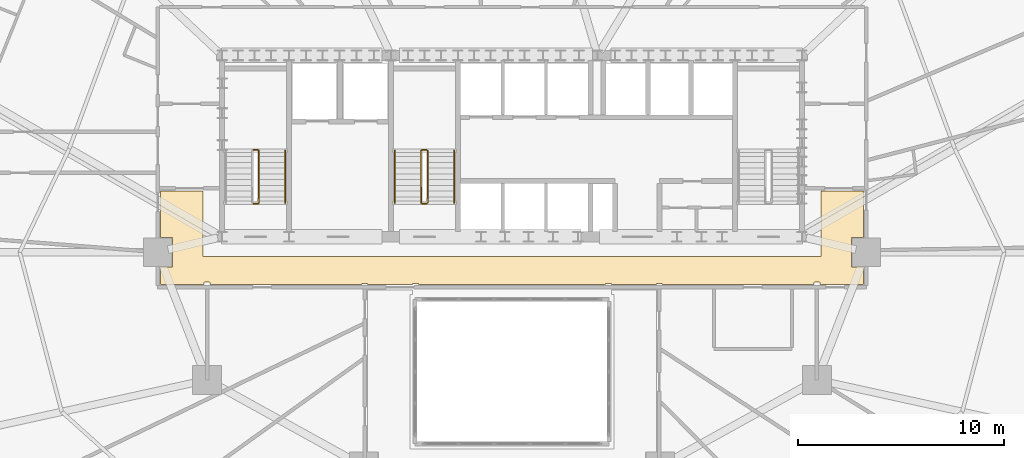
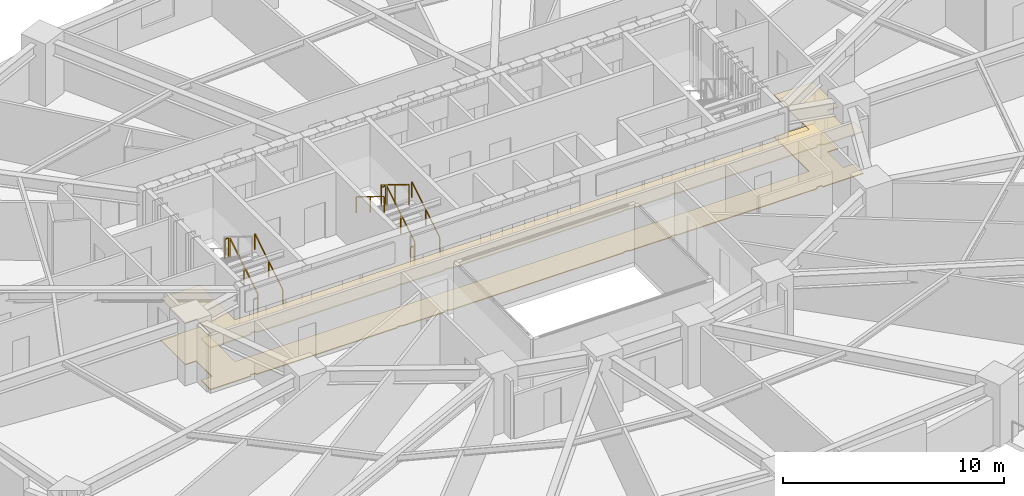
# One storey, part 15 of 17: 10 railings, 2 coverings.
"""IFC4 building model written with IfcOpenShell, lengths in metres."""

from ifc_helpers import new_model, si_unit, direction, frame, origin, origin_2d, place, context, subcontext, project, spatial, polyline, rectangle, outline, extrude, material, layer, layer_set, type_object, element, save


model = new_model("IFC4")

# Units and contexts
model_context = context("Model", 3, precision=1e-05, world=origin(), true_north=direction((0.0, 1.0)))
body_context = subcontext(model_context, "Body", "Model", "MODEL_VIEW")
ifc_project = project(units=[si_unit("LENGTHUNIT", "METRE"), si_unit("AREAUNIT", "SQUARE_METRE"), si_unit("VOLUMEUNIT", "CUBIC_METRE"), si_unit("PLANEANGLEUNIT", "RADIAN"), si_unit("MASSUNIT", "GRAM", prefix="KILO")], contexts=[model_context])

# Site, building, storey
site_placement = place(None, origin())
site = spatial("IfcSite", under=ifc_project, at=site_placement, CompositionType="ELEMENT")
building_placement = place(site_placement, origin())
building = spatial("IfcBuilding", under=site, at=building_placement, Name="Haldorwick Loom Tower", CompositionType="ELEMENT")
storey_placement = place(building_placement, frame((0.0, 0.0, 37.800048828125)))
storey = spatial("IfcBuildingStorey", under=building, at=storey_placement, Name="L09", CompositionType="ELEMENT", Elevation=37.800048828125)

# Coverings
ifc_material_1 = material(Name="Mineral Fibre Acoustic Ceiling Tile")
ifc_layer_1 = layer(ifc_material_1, 0.054931640625, Name="Mineral Fibre Acoustic Ceiling Tile")
ifc_layer_set_1 = layer_set([ifc_layer_1], Name="Mineral Fibre Acoustic Ceiling Tile")
covering_type_1 = type_object("IfcCoveringType", Name="ARC-COV-CEIL2", PredefinedType="CEILING", material=ifc_layer_set_1)
covering_1_placement = place(storey_placement, frame((0.0, 0.0, 2.302001953125)))
element("IfcCovering", 1, at=covering_1_placement, inside=storey, type_object=covering_type_1, Name="L09 Acoustic Suspended Ceiling 2", PredefinedType="CEILING", context=body_context, shape_type="SweptSolid", body=[
    extrude(outline(polyline([(51.0, 28.9599609375), (51.0, 25.800048828125), (21.0, 25.800048828125), (21.0, 28.9599609375), (18.93994140625, 28.9599609375), (18.93994140625, 26.7080078125), (19.508056640625, 26.7080078125), (19.508056640625, 25.2919921875), (18.93994140625, 25.2919921875), (18.93994140625, 24.43994140625), (21.06005859375, 24.43994140625), (21.06005859375, 24.52001953125), (21.06005859375, 24.52197265625), (21.060302734375, 24.52392578125), (21.060791015625, 24.52587890625), (21.0615234375, 24.527587890625), (21.0625, 24.529296875), (21.0634765625, 24.531005859375), (21.064453125, 24.53271484375), (21.06591796875, 24.5341796875), (21.0673828125, 24.535400390625), (21.06884765625, 24.53662109375), (21.070556640625, 24.53759765625), (21.072265625, 24.53857421875), (21.07421875, 24.5390625), (21.076171875, 24.53955078125), (21.077880859375, 24.539794921875), (21.080078125, 24.5400390625), (21.320068359375, 24.5400390625), (21.322021484375, 24.539794921875), (21.323974609375, 24.53955078125), (21.32568359375, 24.5390625), (21.32763671875, 24.53857421875), (21.329345703125, 24.53759765625), (21.3310546875, 24.53662109375), (21.332763671875, 24.535400390625), (21.333984375, 24.5341796875), (21.33544921875, 24.53271484375), (21.336669921875, 24.531005859375), (21.337646484375, 24.529296875), (21.33837890625, 24.527587890625), (21.339111328125, 24.52587890625), (21.339599609375, 24.52392578125), (21.33984375, 24.52197265625), (21.340087890625, 24.52001953125), (21.340087890625, 24.43994140625), (28.7099609375, 24.43994140625), (28.7099609375, 24.469970703125), (28.710205078125, 24.471923828125), (28.71044921875, 24.473876953125), (28.7109375, 24.475830078125), (28.71142578125, 24.477783203125), (28.71240234375, 24.4794921875), (28.71337890625, 24.481201171875), (28.714599609375, 24.482666015625), (28.7158203125, 24.484130859375), (28.71728515625, 24.485595703125), (28.718994140625, 24.486572265625), (28.720703125, 24.487548828125), (28.722412109375, 24.488525390625), (28.72412109375, 24.489013671875), (28.72607421875, 24.489501953125), (28.72802734375, 24.489990234375), (28.72998046875, 24.489990234375), (28.969970703125, 24.489990234375), (28.971923828125, 24.489990234375), (28.973876953125, 24.489501953125), (28.975830078125, 24.489013671875), (28.977783203125, 24.488525390625), (28.9794921875, 24.487548828125), (28.981201171875, 24.486572265625), (28.982666015625, 24.485595703125), (28.984130859375, 24.484130859375), (28.985595703125, 24.482666015625), (28.986572265625, 24.481201171875), (28.987548828125, 24.4794921875), (28.988525390625, 24.477783203125), (28.989013671875, 24.475830078125), (28.989501953125, 24.473876953125), (28.989990234375, 24.471923828125), (28.989990234375, 24.469970703125), (28.989990234375, 24.43994140625), (31.179931640625, 24.43994140625), (31.179931640625, 24.469970703125), (31.18017578125, 24.471923828125), (31.180419921875, 24.473876953125), (31.180908203125, 24.475830078125), (31.181396484375, 24.477783203125), (31.182373046875, 24.4794921875), (31.183349609375, 24.481201171875), (31.1845703125, 24.482666015625), (31.185791015625, 24.484130859375), (31.187255859375, 24.485595703125), (31.18896484375, 24.486572265625), (31.190673828125, 24.487548828125), (31.1923828125, 24.488525390625), (31.194091796875, 24.489013671875), (31.196044921875, 24.489501953125), (31.197998046875, 24.489990234375), (31.199951171875, 24.489990234375), (31.43994140625, 24.489990234375), (31.44189453125, 24.489990234375), (31.44384765625, 24.489501953125), (31.44580078125, 24.489013671875), (31.44775390625, 24.488525390625), (31.449462890625, 24.487548828125), (31.451171875, 24.486572265625), (31.45263671875, 24.485595703125), (31.4541015625, 24.484130859375), (31.45556640625, 24.482666015625), (31.45654296875, 24.481201171875), (31.45751953125, 24.4794921875), (31.45849609375, 24.477783203125), (31.458984375, 24.475830078125), (31.459716796875, 24.473876953125), (31.4599609375, 24.471923828125), (31.4599609375, 24.469970703125), (31.4599609375, 24.43994140625), (40.5400390625, 24.43994140625), (40.5400390625, 24.469970703125), (40.5400390625, 24.471923828125), (40.540283203125, 24.473876953125), (40.541015625, 24.475830078125), (40.54150390625, 24.477783203125), (40.54248046875, 24.4794921875), (40.54345703125, 24.481201171875), (40.54443359375, 24.482666015625), (40.5458984375, 24.484130859375), (40.54736328125, 24.485595703125), (40.548828125, 24.486572265625), (40.550537109375, 24.487548828125), (40.55224609375, 24.488525390625), (40.55419921875, 24.489013671875), (40.55615234375, 24.489501953125), (40.55810546875, 24.489990234375), (40.56005859375, 24.489990234375), (40.800048828125, 24.489990234375), (40.802001953125, 24.489990234375), (40.803955078125, 24.489501953125), (40.805908203125, 24.489013671875), (40.8076171875, 24.488525390625), (40.809326171875, 24.487548828125), (40.81103515625, 24.486572265625), (40.812744140625, 24.485595703125), (40.814208984375, 24.484130859375), (40.8154296875, 24.482666015625), (40.816650390625, 24.481201171875), (40.817626953125, 24.4794921875), (40.818603515625, 24.477783203125), (40.819091796875, 24.475830078125), (40.819580078125, 24.473876953125), (40.81982421875, 24.471923828125), (40.820068359375, 24.469970703125), (40.820068359375, 24.43994140625), (43.010009765625, 24.43994140625), (43.010009765625, 24.469970703125), (43.010009765625, 24.471923828125), (43.010498046875, 24.473876953125), (43.010986328125, 24.475830078125), (43.011474609375, 24.477783203125), (43.012451171875, 24.4794921875), (43.013427734375, 24.481201171875), (43.014404296875, 24.482666015625), (43.015869140625, 24.484130859375), (43.017333984375, 24.485595703125), (43.018798828125, 24.486572265625), (43.0205078125, 24.487548828125), (43.022216796875, 24.488525390625), (43.024169921875, 24.489013671875), (43.026123046875, 24.489501953125), (43.028076171875, 24.489990234375), (43.030029296875, 24.489990234375), (43.27001953125, 24.489990234375), (43.27197265625, 24.489990234375), (43.27392578125, 24.489501953125), (43.27587890625, 24.489013671875), (43.277587890625, 24.488525390625), (43.279296875, 24.487548828125), (43.281005859375, 24.486572265625), (43.28271484375, 24.485595703125), (43.2841796875, 24.484130859375), (43.285400390625, 24.482666015625), (43.28662109375, 24.481201171875), (43.28759765625, 24.4794921875), (43.28857421875, 24.477783203125), (43.2890625, 24.475830078125), (43.28955078125, 24.473876953125), (43.289794921875, 24.471923828125), (43.2900390625, 24.469970703125), (43.2900390625, 24.43994140625), (50.659912109375, 24.43994140625), (50.659912109375, 24.52001953125), (50.66015625, 24.52197265625), (50.660400390625, 24.52392578125), (50.660888671875, 24.52587890625), (50.66162109375, 24.527587890625), (50.662353515625, 24.529296875), (50.663330078125, 24.531005859375), (50.66455078125, 24.53271484375), (50.666015625, 24.5341796875), (50.667236328125, 24.535400390625), (50.6689453125, 24.53662109375), (50.670654296875, 24.53759765625), (50.67236328125, 24.53857421875), (50.67431640625, 24.5390625), (50.676025390625, 24.53955078125), (50.677978515625, 24.539794921875), (50.679931640625, 24.5400390625), (50.919921875, 24.5400390625), (50.922119140625, 24.539794921875), (50.923828125, 24.53955078125), (50.92578125, 24.5390625), (50.927734375, 24.53857421875), (50.929443359375, 24.53759765625), (50.93115234375, 24.53662109375), (50.9326171875, 24.535400390625), (50.93408203125, 24.5341796875), (50.935546875, 24.53271484375), (50.9365234375, 24.531005859375), (50.9375, 24.529296875), (50.9384765625, 24.527587890625), (50.939208984375, 24.52587890625), (50.939697265625, 24.52392578125), (50.93994140625, 24.52197265625), (50.93994140625, 24.52001953125), (50.93994140625, 24.43994140625), (53.06005859375, 24.43994140625), (53.06005859375, 25.2919921875), (52.491943359375, 25.2919921875), (52.491943359375, 26.7080078125), (53.06005859375, 26.7080078125), (53.06005859375, 28.9599609375), (51.0, 28.9599609375)])), origin(), (0.0, 0.0, 1.0), 0.054931640625),
])
ifc_material_2 = material(Name="Polished Aggregate Terrazzo Finish")
ifc_layer_2 = layer(ifc_material_2, 0.044921875, Name="Polished Aggregate Terrazzo Finish")
ifc_layer_set_2 = layer_set([ifc_layer_2], Name="Polished Aggregate Terrazzo Finish")
covering_type_2 = type_object("IfcCoveringType", Name="ARC-COV-FLOOR2", PredefinedType="FLOORING", material=ifc_layer_set_2)
covering_2_placement = place(storey_placement, origin())
element("IfcCovering", 2, at=covering_2_placement, inside=storey, type_object=covering_type_2, Name="L09 Floor Finish 2", PredefinedType="FLOORING", context=body_context, shape_type="SweptSolid", body=[
    extrude(outline(polyline([(51.0, 28.9599609375), (51.0, 25.800048828125), (21.0, 25.800048828125), (21.0, 28.9599609375), (18.93994140625, 28.9599609375), (18.93994140625, 26.7080078125), (19.508056640625, 26.7080078125), (19.508056640625, 25.2919921875), (18.93994140625, 25.2919921875), (18.93994140625, 24.43994140625), (21.06005859375, 24.43994140625), (21.06005859375, 24.52001953125), (21.06005859375, 24.52197265625), (21.060302734375, 24.52392578125), (21.060791015625, 24.52587890625), (21.0615234375, 24.527587890625), (21.0625, 24.529296875), (21.0634765625, 24.531005859375), (21.064453125, 24.53271484375), (21.06591796875, 24.5341796875), (21.0673828125, 24.535400390625), (21.06884765625, 24.53662109375), (21.070556640625, 24.53759765625), (21.072265625, 24.53857421875), (21.07421875, 24.5390625), (21.076171875, 24.53955078125), (21.077880859375, 24.539794921875), (21.080078125, 24.5400390625), (21.320068359375, 24.5400390625), (21.322021484375, 24.539794921875), (21.323974609375, 24.53955078125), (21.32568359375, 24.5390625), (21.32763671875, 24.53857421875), (21.329345703125, 24.53759765625), (21.3310546875, 24.53662109375), (21.332763671875, 24.535400390625), (21.333984375, 24.5341796875), (21.33544921875, 24.53271484375), (21.336669921875, 24.531005859375), (21.337646484375, 24.529296875), (21.33837890625, 24.527587890625), (21.339111328125, 24.52587890625), (21.339599609375, 24.52392578125), (21.33984375, 24.52197265625), (21.340087890625, 24.52001953125), (21.340087890625, 24.43994140625), (28.7099609375, 24.43994140625), (28.7099609375, 24.469970703125), (28.710205078125, 24.471923828125), (28.71044921875, 24.473876953125), (28.7109375, 24.475830078125), (28.71142578125, 24.477783203125), (28.71240234375, 24.4794921875), (28.71337890625, 24.481201171875), (28.714599609375, 24.482666015625), (28.7158203125, 24.484130859375), (28.71728515625, 24.485595703125), (28.718994140625, 24.486572265625), (28.720703125, 24.487548828125), (28.722412109375, 24.488525390625), (28.72412109375, 24.489013671875), (28.72607421875, 24.489501953125), (28.72802734375, 24.489990234375), (28.72998046875, 24.489990234375), (28.969970703125, 24.489990234375), (28.971923828125, 24.489990234375), (28.973876953125, 24.489501953125), (28.975830078125, 24.489013671875), (28.977783203125, 24.488525390625), (28.9794921875, 24.487548828125), (28.981201171875, 24.486572265625), (28.982666015625, 24.485595703125), (28.984130859375, 24.484130859375), (28.985595703125, 24.482666015625), (28.986572265625, 24.481201171875), (28.987548828125, 24.4794921875), (28.988525390625, 24.477783203125), (28.989013671875, 24.475830078125), (28.989501953125, 24.473876953125), (28.989990234375, 24.471923828125), (28.989990234375, 24.469970703125), (28.989990234375, 24.43994140625), (31.179931640625, 24.43994140625), (31.179931640625, 24.469970703125), (31.18017578125, 24.471923828125), (31.180419921875, 24.473876953125), (31.180908203125, 24.475830078125), (31.181396484375, 24.477783203125), (31.182373046875, 24.4794921875), (31.183349609375, 24.481201171875), (31.1845703125, 24.482666015625), (31.185791015625, 24.484130859375), (31.187255859375, 24.485595703125), (31.18896484375, 24.486572265625), (31.190673828125, 24.487548828125), (31.1923828125, 24.488525390625), (31.194091796875, 24.489013671875), (31.196044921875, 24.489501953125), (31.197998046875, 24.489990234375), (31.199951171875, 24.489990234375), (31.43994140625, 24.489990234375), (31.44189453125, 24.489990234375), (31.44384765625, 24.489501953125), (31.44580078125, 24.489013671875), (31.44775390625, 24.488525390625), (31.449462890625, 24.487548828125), (31.451171875, 24.486572265625), (31.45263671875, 24.485595703125), (31.4541015625, 24.484130859375), (31.45556640625, 24.482666015625), (31.45654296875, 24.481201171875), (31.45751953125, 24.4794921875), (31.45849609375, 24.477783203125), (31.458984375, 24.475830078125), (31.459716796875, 24.473876953125), (31.4599609375, 24.471923828125), (31.4599609375, 24.469970703125), (31.4599609375, 24.43994140625), (40.5400390625, 24.43994140625), (40.5400390625, 24.469970703125), (40.5400390625, 24.471923828125), (40.540283203125, 24.473876953125), (40.541015625, 24.475830078125), (40.54150390625, 24.477783203125), (40.54248046875, 24.4794921875), (40.54345703125, 24.481201171875), (40.54443359375, 24.482666015625), (40.5458984375, 24.484130859375), (40.54736328125, 24.485595703125), (40.548828125, 24.486572265625), (40.550537109375, 24.487548828125), (40.55224609375, 24.488525390625), (40.55419921875, 24.489013671875), (40.55615234375, 24.489501953125), (40.55810546875, 24.489990234375), (40.56005859375, 24.489990234375), (40.800048828125, 24.489990234375), (40.802001953125, 24.489990234375), (40.803955078125, 24.489501953125), (40.805908203125, 24.489013671875), (40.8076171875, 24.488525390625), (40.809326171875, 24.487548828125), (40.81103515625, 24.486572265625), (40.812744140625, 24.485595703125), (40.814208984375, 24.484130859375), (40.8154296875, 24.482666015625), (40.816650390625, 24.481201171875), (40.817626953125, 24.4794921875), (40.818603515625, 24.477783203125), (40.819091796875, 24.475830078125), (40.819580078125, 24.473876953125), (40.81982421875, 24.471923828125), (40.820068359375, 24.469970703125), (40.820068359375, 24.43994140625), (43.010009765625, 24.43994140625), (43.010009765625, 24.469970703125), (43.010009765625, 24.471923828125), (43.010498046875, 24.473876953125), (43.010986328125, 24.475830078125), (43.011474609375, 24.477783203125), (43.012451171875, 24.4794921875), (43.013427734375, 24.481201171875), (43.014404296875, 24.482666015625), (43.015869140625, 24.484130859375), (43.017333984375, 24.485595703125), (43.018798828125, 24.486572265625), (43.0205078125, 24.487548828125), (43.022216796875, 24.488525390625), (43.024169921875, 24.489013671875), (43.026123046875, 24.489501953125), (43.028076171875, 24.489990234375), (43.030029296875, 24.489990234375), (43.27001953125, 24.489990234375), (43.27197265625, 24.489990234375), (43.27392578125, 24.489501953125), (43.27587890625, 24.489013671875), (43.277587890625, 24.488525390625), (43.279296875, 24.487548828125), (43.281005859375, 24.486572265625), (43.28271484375, 24.485595703125), (43.2841796875, 24.484130859375), (43.285400390625, 24.482666015625), (43.28662109375, 24.481201171875), (43.28759765625, 24.4794921875), (43.28857421875, 24.477783203125), (43.2890625, 24.475830078125), (43.28955078125, 24.473876953125), (43.289794921875, 24.471923828125), (43.2900390625, 24.469970703125), (43.2900390625, 24.43994140625), (50.659912109375, 24.43994140625), (50.659912109375, 24.52001953125), (50.66015625, 24.52197265625), (50.660400390625, 24.52392578125), (50.660888671875, 24.52587890625), (50.66162109375, 24.527587890625), (50.662353515625, 24.529296875), (50.663330078125, 24.531005859375), (50.66455078125, 24.53271484375), (50.666015625, 24.5341796875), (50.667236328125, 24.535400390625), (50.6689453125, 24.53662109375), (50.670654296875, 24.53759765625), (50.67236328125, 24.53857421875), (50.67431640625, 24.5390625), (50.676025390625, 24.53955078125), (50.677978515625, 24.539794921875), (50.679931640625, 24.5400390625), (50.919921875, 24.5400390625), (50.922119140625, 24.539794921875), (50.923828125, 24.53955078125), (50.92578125, 24.5390625), (50.927734375, 24.53857421875), (50.929443359375, 24.53759765625), (50.93115234375, 24.53662109375), (50.9326171875, 24.535400390625), (50.93408203125, 24.5341796875), (50.935546875, 24.53271484375), (50.9365234375, 24.531005859375), (50.9375, 24.529296875), (50.9384765625, 24.527587890625), (50.939208984375, 24.52587890625), (50.939697265625, 24.52392578125), (50.93994140625, 24.52197265625), (50.93994140625, 24.52001953125), (50.93994140625, 24.43994140625), (53.06005859375, 24.43994140625), (53.06005859375, 25.2919921875), (52.491943359375, 25.2919921875), (52.491943359375, 26.7080078125), (53.06005859375, 26.7080078125), (53.06005859375, 28.9599609375), (51.0, 28.9599609375)])), origin(), (0.0, 0.0, 1.0), 0.044921875),
])

# Railings
ifc_material_3 = material(Name="Steel CSA G40.21 350W", Category="steel")
railing_type_1 = type_object("IfcRailingType", Name="ARC-RLG-GUARD112", PredefinedType="GUARDRAIL", material=ifc_material_3)
railing_1_placement = place(storey_placement, frame((23.699951171875, 28.39990234375, 0.17236328125)))
element("IfcRailing", 3, at=railing_1_placement, inside=storey, type_object=railing_type_1, Name="L09 ST-01 stair guard 1", PredefinedType="GUARDRAIL", context=body_context, shape_type="SweptSolid", body=[
    extrude(rectangle(XDim=0.048095703125, YDim=0.048095703125, at=origin_2d()), frame((0.0, 0.0, 1.076171875), z_axis=(0.0, 0.851400495292, 0.524516154772), x_axis=(-1.0, 0.0, 0.0)), (0.0, 0.0, 1.0), 2.9599609375),
    extrude(rectangle(XDim=0.0419921875, YDim=0.0419921875, at=origin_2d()), origin(), (0.0, 0.0, 1.0), 1.052001953125),
    extrude(rectangle(XDim=0.0419921875, YDim=0.0419921875, at=origin_2d()), frame((0.0, 1.260009765625, 0.7763671875)), (0.0, 0.0, 1.0), 1.052001953125),
    extrude(rectangle(XDim=0.0419921875, YDim=0.0419921875, at=origin_2d()), frame((0.0, 2.52001953125, 1.552490234375)), (0.0, 0.0, 1.0), 1.052001953125),
])
for number, where, name in (
    (4, (23.64990234375, 30.969970703125, 1.724853515625), "L09 ST-01 stair guard 2"),
    (5, (23.64990234375, 28.35009765625, 0.0), "L09 ST-01 stair guard 4"),
):
    element("IfcRailing", number, at=place(storey_placement, frame(where)), inside=storey, type_object=railing_type_1, Name=name, PredefinedType="GUARDRAIL", context=body_context, shape_type="SweptSolid", body=[
        extrude(rectangle(XDim=0.048095703125, YDim=0.048095703125, at=origin_2d()), frame((0.0, 0.0, 1.076171875), z_axis=(-1.0, 0.0, 0.0), x_axis=(0.0, -1.0, 0.0)), (0.0, 0.0, 1.0), 0.199951171875),
        extrude(rectangle(XDim=0.0419921875, YDim=0.0419921875, at=origin_2d()), origin(), (0.0, 0.0, 1.0), 1.052001953125),
        extrude(rectangle(XDim=0.0419921875, YDim=0.0419921875, at=origin_2d()), frame((-0.199951171875, 0.0, 0.0)), (0.0, 0.0, 1.0), 1.052001953125),
    ])
railing_2_placement = place(storey_placement, frame((31.89990234375, 28.39990234375, 0.17236328125)))
element("IfcRailing", 6, at=railing_2_placement, inside=storey, type_object=railing_type_1, Name="L09 ST-03 stair guard 1", PredefinedType="GUARDRAIL", context=body_context, shape_type="SweptSolid", body=[
    extrude(rectangle(XDim=0.048095703125, YDim=0.048095703125, at=origin_2d()), frame((0.0, 0.0, 1.076171875), z_axis=(0.0, 0.851400495292, 0.524516154772), x_axis=(-1.0, 0.0, 0.0)), (0.0, 0.0, 1.0), 2.9599609375),
    extrude(rectangle(XDim=0.0419921875, YDim=0.0419921875, at=origin_2d()), origin(), (0.0, 0.0, 1.0), 1.052001953125),
    extrude(rectangle(XDim=0.0419921875, YDim=0.0419921875, at=origin_2d()), frame((0.0, 1.260009765625, 0.7763671875)), (0.0, 0.0, 1.0), 1.052001953125),
    extrude(rectangle(XDim=0.0419921875, YDim=0.0419921875, at=origin_2d()), frame((0.0, 2.52001953125, 1.552490234375)), (0.0, 0.0, 1.0), 1.052001953125),
])
railing_3_placement = place(storey_placement, frame((31.85009765625, 30.969970703125, 1.724853515625)))
element("IfcRailing", 7, at=railing_3_placement, inside=storey, type_object=railing_type_1, Name="L09 ST-03 stair guard 2", PredefinedType="GUARDRAIL", context=body_context, shape_type="SweptSolid", body=[
    extrude(rectangle(XDim=0.048095703125, YDim=0.048095703125, at=origin_2d()), frame((0.0, 0.0, 1.076171875), z_axis=(-1.0, 0.0, 0.0), x_axis=(0.0, -1.0, 0.0)), (0.0, 0.0, 1.0), 0.2001953125),
    extrude(rectangle(XDim=0.0419921875, YDim=0.0419921875, at=origin_2d()), origin(), (0.0, 0.0, 1.0), 1.052001953125),
    extrude(rectangle(XDim=0.0419921875, YDim=0.0419921875, at=origin_2d()), frame((-0.2001953125, 0.0, 0.0)), (0.0, 0.0, 1.0), 1.052001953125),
])
railing_4_placement = place(storey_placement, frame((31.60009765625, 30.919921875, 1.8974609375)))
element("IfcRailing", 8, at=railing_4_placement, inside=storey, type_object=railing_type_1, Name="L09 ST-03 stair guard 3", PredefinedType="GUARDRAIL", context=body_context, shape_type="SweptSolid", body=[
    extrude(rectangle(XDim=0.048095703125, YDim=0.048095703125, at=origin_2d()), frame((0.0, 0.0, 1.076171875), z_axis=(0.0, -0.851400495292, 0.524516154772), x_axis=(1.0, 0.0, 0.0)), (0.0, 0.0, 1.0), 2.9599609375),
    extrude(rectangle(XDim=0.0419921875, YDim=0.0419921875, at=origin_2d()), origin(), (0.0, 0.0, 1.0), 1.052001953125),
    extrude(rectangle(XDim=0.0419921875, YDim=0.0419921875, at=origin_2d()), frame((0.0, -1.260009765625, 0.7763671875)), (0.0, 0.0, 1.0), 1.052001953125),
    extrude(rectangle(XDim=0.0419921875, YDim=0.0419921875, at=origin_2d()), frame((0.0, -2.52001953125, 1.552490234375)), (0.0, 0.0, 1.0), 1.052001953125),
])
railing_5_placement = place(storey_placement, frame((31.85009765625, 28.35009765625, 0.0)))
element("IfcRailing", 9, at=railing_5_placement, inside=storey, type_object=railing_type_1, Name="L09 ST-03 stair guard 4", PredefinedType="GUARDRAIL", context=body_context, shape_type="SweptSolid", body=[
    extrude(rectangle(XDim=0.048095703125, YDim=0.048095703125, at=origin_2d()), frame((0.0, 0.0, 1.076171875), z_axis=(-1.0, 0.0, 0.0), x_axis=(0.0, -1.0, 0.0)), (0.0, 0.0, 1.0), 0.2001953125),
    extrude(rectangle(XDim=0.0419921875, YDim=0.0419921875, at=origin_2d()), origin(), (0.0, 0.0, 1.0), 1.052001953125),
    extrude(rectangle(XDim=0.0419921875, YDim=0.0419921875, at=origin_2d()), frame((-0.2001953125, 0.0, 0.0)), (0.0, 0.0, 1.0), 1.052001953125),
])
railing_type_2 = type_object("IfcRailingType", Name="ARC-RLG-HAND092", PredefinedType="HANDRAIL", material=ifc_material_3)
for number, where, name in (
    (10, (25.0, 28.39990234375, 0.17236328125), "L09 ST-01 stair handrail 1"),
    (11, (33.199951171875, 28.39990234375, 0.17236328125), "L09 ST-03 stair handrail 1"),
):
    element("IfcRailing", number, at=place(storey_placement, frame(where)), inside=storey, type_object=railing_type_2, Name=name, PredefinedType="HANDRAIL", context=body_context, shape_type="SweptSolid", body=[
        extrude(rectangle(XDim=0.048095703125, YDim=0.048095703125, at=origin_2d()), frame((0.0, 0.0, 0.8759765625), z_axis=(0.0, 0.851400495292, 0.524516154772), x_axis=(-1.0, 0.0, 0.0)), (0.0, 0.0, 1.0), 2.9599609375),
        extrude(rectangle(XDim=0.0419921875, YDim=0.0419921875, at=origin_2d()), origin(), (0.0, 0.0, 1.0), 0.851806640625),
        extrude(rectangle(XDim=0.0419921875, YDim=0.0419921875, at=origin_2d()), frame((0.0, 1.260009765625, 0.7763671875)), (0.0, 0.0, 1.0), 0.851806640625),
        extrude(rectangle(XDim=0.0419921875, YDim=0.0419921875, at=origin_2d()), frame((0.0, 2.52001953125, 1.552490234375)), (0.0, 0.0, 1.0), 0.851806640625),
    ])
railing_6_placement = place(storey_placement, frame((30.300048828125, 30.919921875, 1.8974609375)))
element("IfcRailing", 12, at=railing_6_placement, inside=storey, type_object=railing_type_2, Name="L09 ST-03 stair handrail 2", PredefinedType="HANDRAIL", context=body_context, shape_type="SweptSolid", body=[
    extrude(rectangle(XDim=0.048095703125, YDim=0.048095703125, at=origin_2d()), frame((0.0, 0.0, 0.8759765625), z_axis=(0.0, -0.851400495292, 0.524516154772), x_axis=(1.0, 0.0, 0.0)), (0.0, 0.0, 1.0), 2.9599609375),
    extrude(rectangle(XDim=0.0419921875, YDim=0.0419921875, at=origin_2d()), origin(), (0.0, 0.0, 1.0), 0.851806640625),
    extrude(rectangle(XDim=0.0419921875, YDim=0.0419921875, at=origin_2d()), frame((0.0, -1.260009765625, 0.7763671875)), (0.0, 0.0, 1.0), 0.851806640625),
    extrude(rectangle(XDim=0.0419921875, YDim=0.0419921875, at=origin_2d()), frame((0.0, -2.52001953125, 1.552490234375)), (0.0, 0.0, 1.0), 0.851806640625),
])

save(model, "model.ifc")
